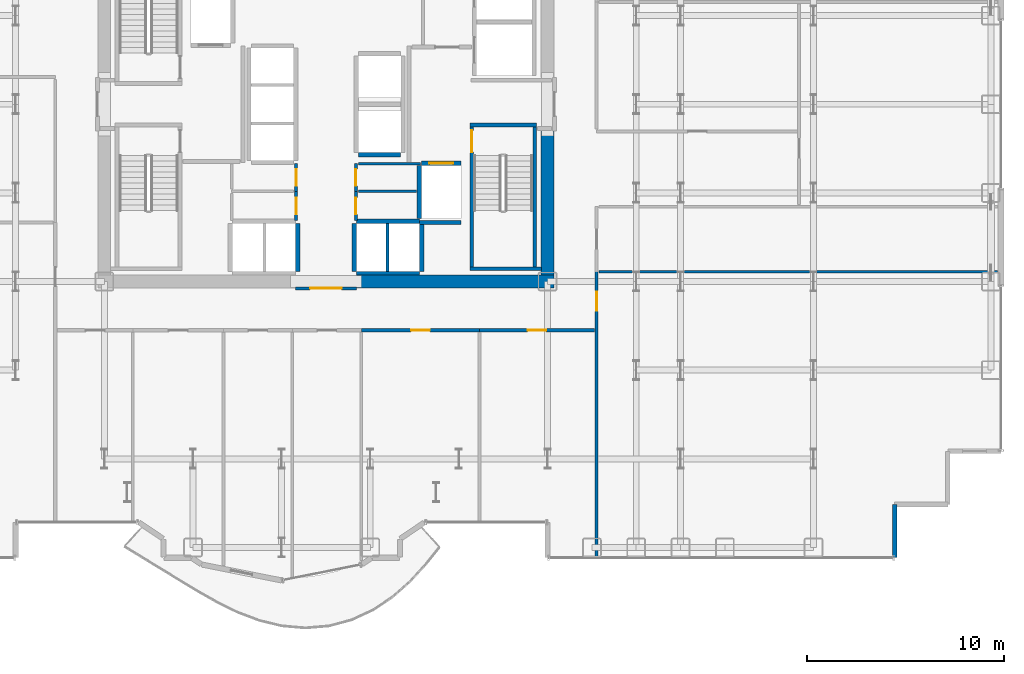
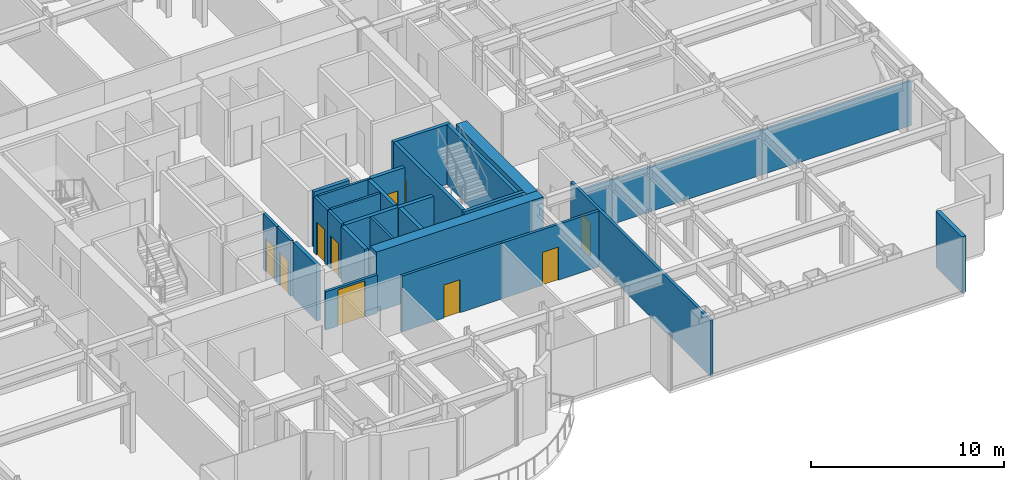
# One storey, part 24 of 29: 28 walls, 10 doors, 10 openings.
"""IFC4 building model written with IfcOpenShell, lengths in metres."""

from ifc_helpers import new_model, si_unit, direction, frame, frame_2d, origin, place, context, subcontext, project, spatial, rectangle, extrude, source, transform, mapped, material, layer, layer_set, type_object, element, fill, save


model = new_model("IFC4")

# Units and contexts
model_context = context("Model", 3, precision=1e-05, world=origin(), true_north=direction((0.0, 1.0)))
body_context = subcontext(model_context, "Body", "Model", "MODEL_VIEW")
ifc_project = project(units=[si_unit("LENGTHUNIT", "METRE"), si_unit("AREAUNIT", "SQUARE_METRE"), si_unit("VOLUMEUNIT", "CUBIC_METRE"), si_unit("PLANEANGLEUNIT", "RADIAN"), si_unit("MASSUNIT", "GRAM", prefix="KILO")], contexts=[model_context])

# Site, building, storey
site_placement = place(None, origin())
site = spatial("IfcSite", under=ifc_project, at=site_placement, CompositionType="ELEMENT")
building_placement = place(site_placement, origin())
building = spatial("IfcBuilding", under=site, at=building_placement, Name="Nefas-Gora Pilgrimage Tower", CompositionType="ELEMENT")
storey_placement = place(building_placement, frame((0.0, 0.0, 55.800048828125)))
storey = spatial("IfcBuildingStorey", under=building, at=storey_placement, Name="L12", CompositionType="ELEMENT", Elevation=55.800048828125)

# Walls
ifc_material_1 = material(Name="Concrete C60/75", Category="concrete")
ifc_layer_1 = layer(ifc_material_1, 0.64990234375)
ifc_layer_set_1 = layer_set([ifc_layer_1], Name="Concrete C60/75")
wall_type_1 = type_object("IfcWallType", Name="SW-CORE-650", PredefinedType="SHEAR", material=ifc_layer_set_1)
shared_shape_1 = source(origin(), body_context, "Body", "SweptSolid", [
    extrude(rectangle(XDim=10.02490234375, YDim=0.64990234375, at=frame_2d((5.012451171875, 0.0))), origin(), (0.0, 0.0, 1.0), 3.800048828125),
])
wall_1_placement = place(storey_placement, frame((1.550048828125, -9.0, 0.0), z_axis=(0.0, 0.0, 1.0), x_axis=(1.0, 0.0, 0.0)))
element("IfcWall", 1, at=wall_1_placement, inside=storey, type_object=wall_type_1, Name="L12 Core Shear Wall S-East", PredefinedType="SHEAR", context=body_context, shape_type="MappedRepresentation", body=[
    mapped(shared_shape_1, transform((0.0, 0.0, 0.0), x_axis=(1.0, 0.0, 0.0), y_axis=(0.0, 1.0, 0.0), z_axis=(0.0, 0.0, 1.0), scale=1.0)),
])
shared_shape_2 = source(origin(), body_context, "Body", "SweptSolid", [
    extrude(rectangle(XDim=7.324951171875, YDim=0.64990234375, at=frame_2d((3.66259765625, 0.0))), origin(), (0.0, 0.0, 1.0), 3.800048828125),
])
wall_2_placement = place(storey_placement, frame((11.25, -8.675048828125, 0.0), z_axis=(0.0, 0.0, 1.0), x_axis=(0.0, 1.0, 0.0)))
element("IfcWall", 2, at=wall_2_placement, inside=storey, type_object=wall_type_1, Name="L12 Core Shear Wall E-South", PredefinedType="SHEAR", context=body_context, shape_type="MappedRepresentation", body=[
    mapped(shared_shape_2, transform((0.0, 0.0, 0.0), x_axis=(1.0, 0.0, 0.0), y_axis=(0.0, 1.0, 0.0), z_axis=(0.0, 0.0, 1.0), scale=1.0)),
])
ifc_material_2 = material(Name="Precast concrete C45/55", Category="concrete")
ifc_layer_2 = layer(ifc_material_2, 0.239990234375)
ifc_layer_set_2 = layer_set([ifc_layer_2], Name="Precast concrete C45/55")
wall_type_2 = type_object("IfcWallType", Name="EW-SERR-240", PredefinedType="SHEAR", material=ifc_layer_set_2)
shared_shape_3 = source(origin(), body_context, "Body", "SweptSolid", [
    extrude(rectangle(XDim=2.699951171875, YDim=0.239990234375, at=frame_2d((1.35009765625, 0.0))), origin(), (0.0, 0.0, 1.0), 3.550048828125),
])
wall_3_placement = place(storey_placement, frame((28.8701171875, -23.02001953125, 0.0), z_axis=(0.0, 0.0, 1.0), x_axis=(0.0, 1.0, 0.0)))
element("IfcWall", 3, at=wall_3_placement, inside=storey, type_object=wall_type_2, Name="L12 Serrated Corner Shear Pier Wall 6", PredefinedType="SHEAR", context=body_context, shape_type="MappedRepresentation", body=[
    mapped(shared_shape_3, transform((0.0, 0.0, 0.0), x_axis=(1.0, 0.0, 0.0), y_axis=(0.0, 1.0, 0.0), z_axis=(0.0, 0.0, 1.0), scale=1.0)),
])
ifc_material_3 = material(Name="Concrete C45/55", Category="concrete")
ifc_layer_3 = layer(ifc_material_3, 0.199951171875)
ifc_layer_set_3 = layer_set([ifc_layer_3], Name="Concrete C45/55")
wall_type_3 = type_object("IfcWallType", Name="IW-STAIR-200", PredefinedType="SOLIDWALL", material=ifc_layer_set_3)
shared_shape_4 = source(origin(), body_context, "Body", "SweptSolid", [
    extrude(rectangle(XDim=3.39990234375, YDim=0.199951171875, at=frame_2d((1.699951171875, 0.0))), origin(), (0.0, 0.0, 1.0), 3.800048828125),
])
wall_4_placement = place(storey_placement, frame((7.300048828125, -1.050048828125, 0.0), z_axis=(0.0, 0.0, 1.0), x_axis=(1.0, 0.0, 0.0)))
element("IfcWall", 4, at=wall_4_placement, inside=storey, type_object=wall_type_3, Name="L12 Stairwell Shear Wall ST-02-near", PredefinedType="SOLIDWALL", context=body_context, shape_type="MappedRepresentation", body=[
    mapped(shared_shape_4, transform((0.0, 0.0, 0.0), x_axis=(1.0, 0.0, 0.0), y_axis=(0.0, 1.0, 0.0), z_axis=(0.0, 0.0, 1.0), scale=1.0)),
])
shared_shape_5 = source(origin(), body_context, "Body", "SweptSolid", [
    extrude(rectangle(XDim=3.6298828125, YDim=0.199951171875, at=frame_2d((1.81494140625, 0.0))), origin(), (0.0, 0.0, 1.0), 3.800048828125),
])
wall_5_placement = place(storey_placement, frame((7.300048828125, -8.35009765625, 0.0), z_axis=(0.0, 0.0, 1.0), x_axis=(1.0, 0.0, 0.0)))
element("IfcWall", 5, at=wall_5_placement, inside=storey, type_object=wall_type_3, Name="L12 Stairwell Shear Wall ST-02-far", PredefinedType="SOLIDWALL", context=body_context, shape_type="MappedRepresentation", body=[
    mapped(shared_shape_5, transform((0.0, 0.0, 0.0), x_axis=(1.0, 0.0, 0.0), y_axis=(0.0, 1.0, 0.0), z_axis=(0.0, 0.0, 1.0), scale=1.0)),
])

# Wall, opening, door
shared_shape_6 = source(origin(), body_context, "Body", "SweptSolid", [
    extrude(rectangle(XDim=7.10009765625, YDim=0.199951171875, at=frame_2d((3.550048828125, 0.0))), origin(), (0.0, 0.0, 1.0), 3.800048828125),
])
wall_6_placement = place(storey_placement, frame((7.39990234375, -1.14990234375, 0.0), z_axis=(0.0, 0.0, 1.0), x_axis=(0.0, -1.0, 0.0)))
wall_6 = element("IfcWall", 6, at=wall_6_placement, inside=storey, type_object=wall_type_3, Name="L12 Stairwell Shear Wall ST-02-left", PredefinedType="SOLIDWALL", context=body_context, shape_type="MappedRepresentation", body=[
    mapped(shared_shape_6, transform((0.0, 0.0, 0.0), x_axis=(1.0, 0.0, 0.0), y_axis=(0.0, 1.0, 0.0), z_axis=(0.0, 0.0, 1.0), scale=1.0)),
])
opening_1_placement = place(wall_6_placement, frame((0.179931640625, 0.0, 0.0)))
opening_1 = element("IfcOpeningElement", 7, at=opening_1_placement, cuts=wall_6, Name="Opening ID-ST1", PredefinedType="OPENING", context=body_context, shape_type="SweptSolid", body=[
    extrude(rectangle(XDim=1.10009765625, YDim=2.14990234375, at=frame_2d((0.550048828125, 1.074951171875))), frame((0.0, 0.10986328125, 0.0), z_axis=(0.0, -1.0, 0.0), x_axis=(1.0, 0.0, 0.0)), (0.0, 0.0, 1.0), 0.219970703125),
])
ifc_material_4 = material(Name="Painted galvanised steel fire stair door", Category="steel")
door_type_1 = type_object("IfcDoorType", Name="DR-INT-STAIR-1100", OperationType="NOTDEFINED", PredefinedType="DOOR", material=ifc_material_4)
shared_shape_7 = source(origin(), body_context, "Body", "SweptSolid", [
    extrude(rectangle(XDim=1.10009765625, YDim=2.14990234375, at=frame_2d((0.550048828125, 1.074951171875))), frame((0.0, 0.02490234375, 0.0), z_axis=(0.0, -1.0, 0.0), x_axis=(1.0, 0.0, 0.0)), (0.0, 0.0, 1.0), 0.050048828125),
])
door_1_placement = place(opening_1_placement, origin())
door_1 = element("IfcDoor", 8, at=door_1_placement, inside=storey, type_object=door_type_1, Name="L12 Protected Exit Stair Door ST-02", OperationType="SINGLE_SWING_LEFT", OverallHeight=2.14990234375, OverallWidth=1.10009765625, PredefinedType="DOOR", context=body_context, shape_type="MappedRepresentation", body=[
    mapped(shared_shape_7, transform((0.0, 0.0, 0.0), x_axis=(1.0, 0.0, 0.0), y_axis=(0.0, 1.0, 0.0), z_axis=(0.0, 0.0, 1.0), scale=1.0)),
])
fill(opening_1, door_1)

# Wall
wall_7_placement = place(storey_placement, frame((10.60009765625, -1.14990234375, 0.0), z_axis=(0.0, 0.0, 1.0), x_axis=(0.0, -1.0, 0.0)))
element("IfcWall", 9, at=wall_7_placement, inside=storey, type_object=wall_type_3, Name="L12 Stairwell Shear Wall ST-02-right", PredefinedType="SOLIDWALL", context=body_context, shape_type="MappedRepresentation", body=[
    mapped(shared_shape_6, transform((0.0, 0.0, 0.0), x_axis=(1.0, 0.0, 0.0), y_axis=(0.0, 1.0, 0.0), z_axis=(0.0, 0.0, 1.0), scale=1.0)),
])

# Wall, opening, door
ifc_material_5 = material(Name="Concrete C40/50", Category="concrete")
ifc_layer_4 = layer(ifc_material_5, 0.219970703125)
ifc_layer_set_4 = layer_set([ifc_layer_4], Name="Concrete C40/50")
wall_type_4 = type_object("IfcWallType", Name="IW-SHAFT-220", PredefinedType="SOLIDWALL", material=ifc_layer_set_4)
shared_shape_8 = source(origin(), body_context, "Body", "SweptSolid", [
    extrude(rectangle(XDim=2.0, YDim=0.219970703125, at=frame_2d((1.0, 0.0))), origin(), (0.0, 0.0, 1.0), 3.534912109375),
])
wall_8_placement = place(storey_placement, frame((6.85009765625, -2.989990234375, 0.0), z_axis=(0.0, 0.0, 1.0), x_axis=(-1.0, 0.0, 0.0)))
wall_8 = element("IfcWall", 10, at=wall_8_placement, inside=storey, type_object=wall_type_4, Name="L12 Hoistway Wall FFL-02-N", PredefinedType="SOLIDWALL", context=body_context, shape_type="MappedRepresentation", body=[
    mapped(shared_shape_8, transform((0.0, 0.0, 0.0), x_axis=(1.0, 0.0, 0.0), y_axis=(0.0, 1.0, 0.0), z_axis=(0.0, 0.0, 1.0), scale=1.0)),
])
opening_2_placement = place(wall_8_placement, frame((0.39990234375, 0.0, 0.0)))
opening_2 = element("IfcOpeningElement", 11, at=opening_2_placement, cuts=wall_8, Name="Opening LD-FF", PredefinedType="OPENING", context=body_context, shape_type="SweptSolid", body=[
    extrude(rectangle(XDim=1.199951171875, YDim=2.199951171875, at=frame_2d((0.60009765625, 1.10009765625))), frame((0.0, 0.119873046875, 0.0), z_axis=(0.0, -1.0, 0.0), x_axis=(1.0, 0.0, 0.0)), (0.0, 0.0, 1.0), 0.239990234375),
])
ifc_material_6 = material(Name="Fire-service sliding lift landing door")
door_type_2 = type_object("IfcDoorType", Name="DR-LIFT-FSAE-1200", OperationType="SLIDING_TO_LEFT", PredefinedType="DOOR", material=ifc_material_6)
shared_shape_9 = source(origin(), body_context, "Body", "SweptSolid", [
    extrude(rectangle(XDim=1.199951171875, YDim=2.199951171875, at=frame_2d((0.60009765625, 1.10009765625))), frame((0.0, 0.02490234375, 0.0), z_axis=(0.0, -1.0, 0.0), x_axis=(1.0, 0.0, 0.0)), (0.0, 0.0, 1.0), 0.050048828125),
])
door_2_placement = place(opening_2_placement, origin())
door_2 = element("IfcDoor", 12, at=door_2_placement, inside=storey, type_object=door_type_2, Name="L12 Sliding Lift Landing Door FFL-02", OperationType="SLIDING_TO_LEFT", OverallHeight=2.199951171875, OverallWidth=1.199951171875, PredefinedType="DOOR", context=body_context, shape_type="MappedRepresentation", body=[
    mapped(shared_shape_9, transform((0.0, 0.0, 0.0), x_axis=(1.0, 0.0, 0.0), y_axis=(0.0, 1.0, 0.0), z_axis=(0.0, 0.0, 1.0), scale=1.0)),
])
fill(opening_2, door_2)

# Walls
shared_shape_10 = source(origin(), body_context, "Body", "SweptSolid", [
    extrude(rectangle(XDim=2.679931640625, YDim=0.219970703125, at=frame_2d((1.33984375, 0.0))), origin(), (0.0, 0.0, 1.0), 3.534912109375),
])
wall_9_placement = place(storey_placement, frame((4.739990234375, -3.110107421875, 0.0), z_axis=(0.0, 0.0, 1.0), x_axis=(0.0, -1.0, 0.0)))
element("IfcWall", 13, at=wall_9_placement, inside=storey, type_object=wall_type_4, Name="L12 Hoistway Wall FFL-02-W", PredefinedType="SOLIDWALL", context=body_context, shape_type="MappedRepresentation", body=[
    mapped(shared_shape_10, transform((0.0, 0.0, 0.0), x_axis=(1.0, 0.0, 0.0), y_axis=(0.0, 1.0, 0.0), z_axis=(0.0, 0.0, 1.0), scale=1.0)),
])
shared_shape_11 = source(origin(), body_context, "Body", "SweptSolid", [
    extrude(rectangle(XDim=3.199951171875, YDim=0.219970703125, at=frame_2d((1.60009765625, 0.0))), origin(), (0.0, 0.0, 1.0), 3.534912109375),
])
wall_10_placement = place(storey_placement, frame((4.75, -5.93994140625, 0.0), z_axis=(0.0, 0.0, 1.0), x_axis=(-1.0, 0.0, 0.0)))
element("IfcWall", 14, at=wall_10_placement, inside=storey, type_object=wall_type_4, Name="L12 Hoistway Wall PL2-E-N", PredefinedType="SOLIDWALL", context=body_context, shape_type="MappedRepresentation", body=[
    mapped(shared_shape_11, transform((0.0, 0.0, 0.0), x_axis=(1.0, 0.0, 0.0), y_axis=(0.0, 1.0, 0.0), z_axis=(0.0, 0.0, 1.0), scale=1.0)),
])
ifc_material_7 = material(Name="Gypsum acoustic stud partition")
ifc_layer_5 = layer(ifc_material_7, 0.159912109375)
ifc_layer_set_5 = layer_set([ifc_layer_5], Name="Gypsum acoustic stud partition")
wall_type_5 = type_object("IfcWallType", Name="IW-CORR-160", PredefinedType="PARTITIONING", material=ifc_layer_set_5)
shared_shape_12 = source(origin(), body_context, "Body", "SweptSolid", [
    extrude(rectangle(XDim=3.199951171875, YDim=0.159912109375, at=frame_2d((1.60009765625, 0.0))), origin(), (0.0, 0.0, 1.0), 2.425048828125),
])
wall_11_placement = place(storey_placement, frame((1.550048828125, -8.580078125, 0.0), z_axis=(0.0, 0.0, 1.0), x_axis=(1.0, 0.0, 0.0)))
element("IfcWall", 15, at=wall_11_placement, inside=storey, type_object=wall_type_5, Name="L12 Hoistway Wall PL2-E-S", PredefinedType="PARTITIONING", context=body_context, shape_type="MappedRepresentation", body=[
    mapped(shared_shape_12, transform((0.0, 0.0, 0.0), x_axis=(1.0, 0.0, 0.0), y_axis=(0.0, 1.0, 0.0), z_axis=(0.0, 0.0, 1.0), scale=1.0)),
])
shared_shape_13 = source(origin(), body_context, "Body", "SweptSolid", [
    extrude(rectangle(XDim=2.429931640625, YDim=0.219970703125, at=frame_2d((1.21484375, 0.0))), origin(), (0.0, 0.0, 1.0), 3.534912109375),
])
for number, where, z_axis, x_axis, name in (
    (16, (-1.43994140625, -8.489990234375, 0.0), (0.0, 0.0, 1.0), (0.0, 1.0, 0.0), "L12 Hoistway Wall PL2-W-E"),
    (17, (1.43994140625, -6.06005859375, 0.0), (0.0, 0.0, 1.0), (0.0, -1.0, 0.0), "L12 Hoistway Wall PL2-E-W"),
    (18, (4.860107421875, -8.489990234375, 0.0), (0.0, 0.0, 1.0), (0.0, 1.0, 0.0), "L12 Hoistway Wall PL2-E-E"),
):
    element("IfcWall", number, at=place(storey_placement, frame(where, z_axis=z_axis, x_axis=x_axis)), inside=storey, type_object=wall_type_4, Name=name, PredefinedType="SOLIDWALL", context=body_context, shape_type="MappedRepresentation", body=[
        mapped(shared_shape_13, transform((0.0, 0.0, 0.0), x_axis=(1.0, 0.0, 0.0), y_axis=(0.0, 1.0, 0.0), z_axis=(0.0, 0.0, 1.0), scale=1.0)),
    ])
ifc_material_8 = material(Name="Gypsum twin-stud partition")
ifc_layer_6 = layer(ifc_material_8, 0.139892578125)
ifc_layer_set_6 = layer_set([ifc_layer_6], Name="Gypsum twin-stud partition")
wall_type_6 = type_object("IfcWallType", Name="IW-UNIT-140", PredefinedType="PARTITIONING", material=ifc_layer_set_6)
shared_shape_14 = source(origin(), body_context, "Body", "SweptSolid", [
    extrude(rectangle(XDim=2.429931640625, YDim=0.139892578125, at=frame_2d((1.21484375, 0.0))), origin(), (0.0, 0.0, 1.0), 3.534912109375),
])
wall_12_placement = place(storey_placement, frame((3.125, -8.489990234375, 0.0), z_axis=(0.0, 0.0, 1.0), x_axis=(0.0, 1.0, 0.0)))
element("IfcWall", 19, at=wall_12_placement, inside=storey, type_object=wall_type_6, Name="L12 Hoistway Wall PL2-E-DIV", PredefinedType="PARTITIONING", context=body_context, shape_type="MappedRepresentation", body=[
    mapped(shared_shape_14, transform((0.0, 0.0, 0.0), x_axis=(1.0, 0.0, 0.0), y_axis=(0.0, 1.0, 0.0), z_axis=(0.0, 0.0, 1.0), scale=1.0)),
])
shared_shape_15 = source(origin(), body_context, "Body", "SweptSolid", [
    extrude(rectangle(XDim=2.130126953125, YDim=0.219970703125, at=frame_2d((1.06494140625, 0.0))), origin(), (0.0, 0.0, 1.0), 3.534912109375),
])
wall_13_placement = place(storey_placement, frame((1.659912109375, -2.56005859375, 0.0), z_axis=(0.0, 0.0, 1.0), x_axis=(1.0, 0.0, 0.0)))
element("IfcWall", 20, at=wall_13_placement, inside=storey, type_object=wall_type_4, Name="L12 Hoistway Wall OBS-01-S", PredefinedType="SOLIDWALL", context=body_context, shape_type="MappedRepresentation", body=[
    mapped(shared_shape_15, transform((0.0, 0.0, 0.0), x_axis=(1.0, 0.0, 0.0), y_axis=(0.0, 1.0, 0.0), z_axis=(0.0, 0.0, 1.0), scale=1.0)),
])
shared_shape_16 = source(origin(), body_context, "Body", "SweptSolid", [
    extrude(rectangle(XDim=2.09521484375, YDim=0.219970703125, at=frame_2d((1.047607421875, 0.0))), origin(), (0.0, 0.0, 1.0), 3.534912109375),
])
wall_14_placement = place(storey_placement, frame((4.7548828125, -6.0, 0.0), z_axis=(0.0, 0.0, 1.0), x_axis=(1.0, 0.0, 0.0)))
element("IfcWall", 21, at=wall_14_placement, inside=storey, type_object=wall_type_4, Name="L12 Riser Shaft Wall 2", PredefinedType="SOLIDWALL", context=body_context, shape_type="MappedRepresentation", body=[
    mapped(shared_shape_16, transform((0.0, 0.0, 0.0), x_axis=(1.0, 0.0, 0.0), y_axis=(0.0, 1.0, 0.0), z_axis=(0.0, 0.0, 1.0), scale=1.0)),
])

# Wall, opening, door
shared_shape_17 = source(origin(), body_context, "Body", "SweptSolid", [
    extrude(rectangle(XDim=3.08984375, YDim=0.159912109375, at=frame_2d((1.544921875, 0.0))), origin(), (0.0, 0.0, 1.0), 2.425048828125),
])
wall_15_placement = place(storey_placement, frame((-1.544921875, -9.35009765625, 0.0), z_axis=(0.0, 0.0, 1.0), x_axis=(1.0, 0.0, 0.0)))
wall_15 = element("IfcWall", 22, at=wall_15_placement, inside=storey, type_object=wall_type_5, Name="L12 Central Lift Lobby South Portal Wall 14", PredefinedType="PARTITIONING", context=body_context, shape_type="MappedRepresentation", body=[
    mapped(shared_shape_17, transform((0.0, 0.0, 0.0), x_axis=(1.0, 0.0, 0.0), y_axis=(0.0, 1.0, 0.0), z_axis=(0.0, 0.0, 1.0), scale=1.0)),
])
opening_3_placement = place(wall_15_placement, frame((0.7451171875, 0.0, 0.0)))
opening_3 = element("IfcOpeningElement", 23, at=opening_3_placement, cuts=wall_15, Name="Opening ID-HL1", PredefinedType="OPENING", context=body_context, shape_type="SweptSolid", body=[
    extrude(rectangle(XDim=1.60009765625, YDim=2.300048828125, at=frame_2d((0.800048828125, 1.14990234375))), frame((0.0, 0.08984375, 0.0), z_axis=(0.0, -1.0, 0.0), x_axis=(1.0, 0.0, 0.0)), (0.0, 0.0, 1.0), 0.179931640625),
])
ifc_material_9 = material(Name="Double acoustic timber assembly hall door", Category="wood")
door_type_3 = type_object("IfcDoorType", Name="DR-INT-HALL-1600", OperationType="DOUBLE_DOOR_SINGLE_SWING", PredefinedType="DOOR", material=ifc_material_9)
shared_shape_18 = source(origin(), body_context, "Body", "SweptSolid", [
    extrude(rectangle(XDim=1.60009765625, YDim=2.300048828125, at=frame_2d((0.800048828125, 1.14990234375))), frame((0.0, 0.02490234375, 0.0), z_axis=(0.0, -1.0, 0.0), x_axis=(1.0, 0.0, 0.0)), (0.0, 0.0, 1.0), 0.050048828125),
])
door_3_placement = place(opening_3_placement, origin())
door_3 = element("IfcDoor", 24, at=door_3_placement, inside=storey, type_object=door_type_3, Name="L12 Central Lift Lobby South Portal Door 5", OperationType="DOUBLE_DOOR_SINGLE_SWING", OverallHeight=2.300048828125, OverallWidth=1.60009765625, PredefinedType="DOOR", context=body_context, shape_type="MappedRepresentation", body=[
    mapped(shared_shape_18, transform((0.0, 0.0, 0.0), x_axis=(1.0, 0.0, 0.0), y_axis=(0.0, 1.0, 0.0), z_axis=(0.0, 0.0, 1.0), scale=1.0)),
])
fill(opening_3, door_3)

# Walls
shared_shape_19 = source(origin(), body_context, "Body", "SweptSolid", [
    extrude(rectangle(XDim=2.9501953125, YDim=0.139892578125, at=frame_2d((1.47509765625, 0.0))), origin(), (0.0, 0.0, 1.0), 3.534912109375),
])
wall_16_placement = place(storey_placement, frame((1.639892578125, -4.409912109375, 0.0), z_axis=(0.0, 0.0, 1.0), x_axis=(1.0, 0.0, 0.0)))
element("IfcWall", 25, at=wall_16_placement, inside=storey, type_object=wall_type_6, Name="L12 Clean Blanket and Robe Store Partition Wall 23", PredefinedType="PARTITIONING", context=body_context, shape_type="MappedRepresentation", body=[
    mapped(shared_shape_19, transform((0.0, 0.0, 0.0), x_axis=(1.0, 0.0, 0.0), y_axis=(0.0, 1.0, 0.0), z_axis=(0.0, 0.0, 1.0), scale=1.0)),
])
shared_shape_20 = source(origin(), body_context, "Body", "SweptSolid", [
    extrude(rectangle(XDim=20.219970703125, YDim=0.139892578125, at=frame_2d((10.10986328125, 0.0))), origin(), (0.0, 0.0, 1.0), 2.824951171875),
])
wall_17_placement = place(storey_placement, frame((13.860107421875, -8.5048828125, 0.0), z_axis=(0.0, 0.0, 1.0), x_axis=(1.0, 0.0, 0.0)))
element("IfcWall", 26, at=wall_17_placement, inside=storey, type_object=wall_type_6, Name="L12 Pilgrim Fellowship Seminar Room Partition Wall 36", PredefinedType="PARTITIONING", context=body_context, shape_type="MappedRepresentation", body=[
    mapped(shared_shape_20, transform((0.0, 0.0, 0.0), x_axis=(1.0, 0.0, 0.0), y_axis=(0.0, 1.0, 0.0), z_axis=(0.0, 0.0, 1.0), scale=1.0)),
])

# Wall, opening, door
shared_shape_21 = source(origin(), body_context, "Body", "SweptSolid", [
    extrude(rectangle(XDim=14.544921875, YDim=0.159912109375, at=frame_2d((7.2724609375, 0.0))), origin(), (0.0, 0.0, 1.0), 3.534912109375),
])
wall_18_placement = place(storey_placement, frame((13.739990234375, -23.0400390625, 0.0), z_axis=(0.0, 0.0, 1.0), x_axis=(0.0, 1.0, 0.0)))
wall_18 = element("IfcWall", 27, at=wall_18_placement, inside=storey, type_object=wall_type_5, Name="L12 Pilgrim Fellowship Seminar Room Partition Wall 35", PredefinedType="PARTITIONING", context=body_context, shape_type="MappedRepresentation", body=[
    mapped(shared_shape_21, transform((0.0, 0.0, 0.0), x_axis=(1.0, 0.0, 0.0), y_axis=(0.0, 1.0, 0.0), z_axis=(0.0, 0.0, 1.0), scale=1.0)),
])
opening_4_placement = place(wall_18_placement, frame((12.5625, 0.0, 0.0)))
opening_4 = element("IfcOpeningElement", 28, at=opening_4_placement, cuts=wall_18, Name="Opening ID-GR1", PredefinedType="OPENING", context=body_context, shape_type="SweptSolid", body=[
    extrude(rectangle(XDim=0.949951171875, YDim=2.10009765625, at=frame_2d((0.47509765625, 1.050048828125))), frame((0.0, 0.08984375, 0.0), z_axis=(0.0, -1.0, 0.0), x_axis=(1.0, 0.0, 0.0)), (0.0, 0.0, 1.0), 0.179931640625),
])
ifc_material_10 = material(Name="Solid core oak fire-rated guest entrance door")
door_type_4 = type_object("IfcDoorType", Name="DR-INT-GUEST-950", OperationType="NOTDEFINED", PredefinedType="DOOR", material=ifc_material_10)
shared_shape_22 = source(origin(), body_context, "Body", "SweptSolid", [
    extrude(rectangle(XDim=0.949951171875, YDim=2.10009765625, at=frame_2d((0.47509765625, 1.050048828125))), frame((0.0, 0.02490234375, 0.0), z_axis=(0.0, -1.0, 0.0), x_axis=(1.0, 0.0, 0.0)), (0.0, 0.0, 1.0), 0.050048828125),
])
door_4_placement = place(opening_4_placement, origin())
door_4 = element("IfcDoor", 29, at=door_4_placement, inside=storey, type_object=door_type_4, Name="L12 Pilgrim Fellowship Seminar Room Door 15", OperationType="SINGLE_SWING_RIGHT", OverallHeight=2.10009765625, OverallWidth=0.949951171875, PredefinedType="DOOR", context=body_context, shape_type="MappedRepresentation", body=[
    mapped(shared_shape_22, transform((0.0, 0.0, 0.0), x_axis=(1.0, 0.0, 0.0), y_axis=(0.0, 1.0, 0.0), z_axis=(0.0, 0.0, 1.0), scale=1.0)),
])
fill(opening_4, door_4)

shared_shape_23 = source(origin(), body_context, "Body", "SweptSolid", [
    extrude(rectangle(XDim=1.409912109375, YDim=0.159912109375, at=frame_2d((0.705078125, 0.0))), origin(), (0.0, 0.0, 1.0), 3.534912109375),
])
wall_19_placement = place(storey_placement, frame((-1.52001953125, -4.419921875, 0.0), z_axis=(0.0, 0.0, 1.0), x_axis=(0.0, 1.0, 0.0)))
wall_19 = element("IfcWall", 30, at=wall_19_placement, inside=storey, type_object=wall_type_5, Name="L12 Housekeeping and Linen Store Wall 16", PredefinedType="PARTITIONING", context=body_context, shape_type="MappedRepresentation", body=[
    mapped(shared_shape_23, transform((0.0, 0.0, 0.0), x_axis=(1.0, 0.0, 0.0), y_axis=(0.0, 1.0, 0.0), z_axis=(0.0, 0.0, 1.0), scale=1.0)),
])
opening_5_placement = place(wall_19_placement, frame((0.280029296875, 0.0, 0.0)))
opening_5 = element("IfcOpeningElement", 31, at=opening_5_placement, cuts=wall_19, Name="Opening ID-BT1", PredefinedType="OPENING", context=body_context, shape_type="SweptSolid", body=[
    extrude(rectangle(XDim=0.85009765625, YDim=2.10009765625, at=frame_2d((0.425048828125, 1.050048828125))), frame((0.0, 0.08984375, 0.0), z_axis=(0.0, -1.0, 0.0), x_axis=(1.0, 0.0, 0.0)), (0.0, 0.0, 1.0), 0.179931640625),
])
ifc_material_11 = material(Name="Moisture-resistant fire-rated timber door", Category="wood")
door_type_5 = type_object("IfcDoorType", Name="DR-INT-BATH-850", OperationType="NOTDEFINED", PredefinedType="DOOR", material=ifc_material_11)
shared_shape_24 = source(origin(), body_context, "Body", "SweptSolid", [
    extrude(rectangle(XDim=0.85009765625, YDim=2.10009765625, at=frame_2d((0.425048828125, 1.050048828125))), frame((0.0, 0.02490234375, 0.0), z_axis=(0.0, -1.0, 0.0), x_axis=(1.0, 0.0, 0.0)), (0.0, 0.0, 1.0), 0.050048828125),
])
door_5_placement = place(opening_5_placement, origin())
door_5 = element("IfcDoor", 32, at=door_5_placement, inside=storey, type_object=door_type_5, Name="L12 Housekeeping and Linen Store Door 6", OperationType="SINGLE_SWING_LEFT", OverallHeight=2.10009765625, OverallWidth=0.85009765625, PredefinedType="DOOR", context=body_context, shape_type="MappedRepresentation", body=[
    mapped(shared_shape_24, transform((0.0, 0.0, 0.0), x_axis=(1.0, 0.0, 0.0), y_axis=(0.0, 1.0, 0.0), z_axis=(0.0, 0.0, 1.0), scale=1.0)),
])
fill(opening_5, door_5)

wall_20_placement = place(storey_placement, frame((1.52001953125, -4.419921875, 0.0), z_axis=(0.0, 0.0, 1.0), x_axis=(0.0, 1.0, 0.0)))
wall_20 = element("IfcWall", 33, at=wall_20_placement, inside=storey, type_object=wall_type_5, Name="L12 Clean Blanket and Robe Store Wall 21", PredefinedType="PARTITIONING", context=body_context, shape_type="MappedRepresentation", body=[
    mapped(shared_shape_23, transform((0.0, 0.0, 0.0), x_axis=(1.0, 0.0, 0.0), y_axis=(0.0, 1.0, 0.0), z_axis=(0.0, 0.0, 1.0), scale=1.0)),
])
opening_6_placement = place(wall_20_placement, frame((0.280029296875, 0.0, 0.0)))
opening_6 = element("IfcOpeningElement", 34, at=opening_6_placement, cuts=wall_20, Name="Opening ID-BT1", PredefinedType="OPENING", context=body_context, shape_type="SweptSolid", body=[
    extrude(rectangle(XDim=0.85009765625, YDim=2.10009765625, at=frame_2d((0.425048828125, 1.050048828125))), frame((0.0, 0.08984375, 0.0), z_axis=(0.0, -1.0, 0.0), x_axis=(1.0, 0.0, 0.0)), (0.0, 0.0, 1.0), 0.179931640625),
])
door_6_placement = place(opening_6_placement, origin())
door_6 = element("IfcDoor", 35, at=door_6_placement, inside=storey, type_object=door_type_5, Name="L12 Clean Blanket and Robe Store Door 8", OperationType="SINGLE_SWING_LEFT", OverallHeight=2.10009765625, OverallWidth=0.85009765625, PredefinedType="DOOR", context=body_context, shape_type="MappedRepresentation", body=[
    mapped(shared_shape_24, transform((0.0, 0.0, 0.0), x_axis=(1.0, 0.0, 0.0), y_axis=(0.0, 1.0, 0.0), z_axis=(0.0, 0.0, 1.0), scale=1.0)),
])
fill(opening_6, door_6)

# Wall
shared_shape_25 = source(origin(), body_context, "Body", "SweptSolid", [
    extrude(rectangle(XDim=3.150146484375, YDim=0.139892578125, at=frame_2d((1.5751953125, 0.0))), origin(), (0.0, 0.0, 1.0), 3.534912109375),
])
wall_21_placement = place(storey_placement, frame((1.639892578125, -3.02001953125, 0.0), z_axis=(0.0, 0.0, 1.0), x_axis=(1.0, 0.0, 0.0)))
element("IfcWall", 36, at=wall_21_placement, inside=storey, type_object=wall_type_6, Name="L12 Clean Blanket and Robe Store Partition Wall 22", PredefinedType="PARTITIONING", context=body_context, shape_type="MappedRepresentation", body=[
    mapped(shared_shape_25, transform((0.0, 0.0, 0.0), x_axis=(1.0, 0.0, 0.0), y_axis=(0.0, 1.0, 0.0), z_axis=(0.0, 0.0, 1.0), scale=1.0)),
])

# Wall, opening, door
shared_shape_26 = source(origin(), body_context, "Body", "SweptSolid", [
    extrude(rectangle(XDim=1.449951171875, YDim=0.159912109375, at=frame_2d((0.72509765625, 0.0))), origin(), (0.0, 0.0, 1.0), 3.534912109375),
])
wall_22_placement = place(storey_placement, frame((-1.52001953125, -5.889892578125, 0.0), z_axis=(0.0, 0.0, 1.0), x_axis=(0.0, 1.0, 0.0)))
wall_22 = element("IfcWall", 37, at=wall_22_placement, inside=storey, type_object=wall_type_5, Name="L12 Guest Self-Service Laundry Room Wall 19", PredefinedType="PARTITIONING", context=body_context, shape_type="MappedRepresentation", body=[
    mapped(shared_shape_26, transform((0.0, 0.0, 0.0), x_axis=(1.0, 0.0, 0.0), y_axis=(0.0, 1.0, 0.0), z_axis=(0.0, 0.0, 1.0), scale=1.0)),
])
opening_7_placement = place(wall_22_placement, frame((0.300048828125, 0.0, 0.0)))
opening_7 = element("IfcOpeningElement", 38, at=opening_7_placement, cuts=wall_22, Name="Opening ID-BT1", PredefinedType="OPENING", context=body_context, shape_type="SweptSolid", body=[
    extrude(rectangle(XDim=0.85009765625, YDim=2.10009765625, at=frame_2d((0.425048828125, 1.050048828125))), frame((0.0, 0.08984375, 0.0), z_axis=(0.0, -1.0, 0.0), x_axis=(1.0, 0.0, 0.0)), (0.0, 0.0, 1.0), 0.179931640625),
])
door_7_placement = place(opening_7_placement, origin())
door_7 = element("IfcDoor", 39, at=door_7_placement, inside=storey, type_object=door_type_5, Name="L12 Guest Self-Service Laundry Room Door 7", OperationType="SINGLE_SWING_RIGHT", OverallHeight=2.10009765625, OverallWidth=0.85009765625, PredefinedType="DOOR", context=body_context, shape_type="MappedRepresentation", body=[
    mapped(shared_shape_24, transform((0.0, 0.0, 0.0), x_axis=(1.0, 0.0, 0.0), y_axis=(0.0, 1.0, 0.0), z_axis=(0.0, 0.0, 1.0), scale=1.0)),
])
fill(opening_7, door_7)

wall_23_placement = place(storey_placement, frame((1.52001953125, -5.889892578125, 0.0), z_axis=(0.0, 0.0, 1.0), x_axis=(0.0, 1.0, 0.0)))
wall_23 = element("IfcWall", 40, at=wall_23_placement, inside=storey, type_object=wall_type_5, Name="L12 Core Amenity Supply Store Wall 24", PredefinedType="PARTITIONING", context=body_context, shape_type="MappedRepresentation", body=[
    mapped(shared_shape_26, transform((0.0, 0.0, 0.0), x_axis=(1.0, 0.0, 0.0), y_axis=(0.0, 1.0, 0.0), z_axis=(0.0, 0.0, 1.0), scale=1.0)),
])
opening_8_placement = place(wall_23_placement, frame((0.300048828125, 0.0, 0.0)))
opening_8 = element("IfcOpeningElement", 41, at=opening_8_placement, cuts=wall_23, Name="Opening ID-BT1", PredefinedType="OPENING", context=body_context, shape_type="SweptSolid", body=[
    extrude(rectangle(XDim=0.85009765625, YDim=2.10009765625, at=frame_2d((0.425048828125, 1.050048828125))), frame((0.0, 0.08984375, 0.0), z_axis=(0.0, -1.0, 0.0), x_axis=(1.0, 0.0, 0.0)), (0.0, 0.0, 1.0), 0.179931640625),
])
door_8_placement = place(opening_8_placement, origin())
door_8 = element("IfcDoor", 42, at=door_8_placement, inside=storey, type_object=door_type_5, Name="L12 Core Amenity Supply Store Door 9", OperationType="SINGLE_SWING_RIGHT", OverallHeight=2.10009765625, OverallWidth=0.85009765625, PredefinedType="DOOR", context=body_context, shape_type="MappedRepresentation", body=[
    mapped(shared_shape_24, transform((0.0, 0.0, 0.0), x_axis=(1.0, 0.0, 0.0), y_axis=(0.0, 1.0, 0.0), z_axis=(0.0, 0.0, 1.0), scale=1.0)),
])
fill(opening_8, door_8)

shared_shape_27 = source(origin(), body_context, "Body", "SweptSolid", [
    extrude(rectangle(XDim=6.010009765625, YDim=0.159912109375, at=frame_2d((3.0048828125, 0.0))), origin(), (0.0, 0.0, 1.0), 3.534912109375),
])
wall_24_placement = place(storey_placement, frame((1.794921875, -11.469970703125, 0.0), z_axis=(0.0, 0.0, 1.0), x_axis=(1.0, 0.0, 0.0)))
wall_24 = element("IfcWall", 43, at=wall_24_placement, inside=storey, type_object=wall_type_5, Name="L12 Pilgrim Contemplative Lounge Partition Wall 62", PredefinedType="PARTITIONING", context=body_context, shape_type="MappedRepresentation", body=[
    mapped(shared_shape_27, transform((0.0, 0.0, 0.0), x_axis=(1.0, 0.0, 0.0), y_axis=(0.0, 1.0, 0.0), z_axis=(0.0, 0.0, 1.0), scale=1.0)),
])
opening_9_placement = place(wall_24_placement, frame((2.530029296875, 0.0, 0.0)))
opening_9 = element("IfcOpeningElement", 44, at=opening_9_placement, cuts=wall_24, Name="Opening ID-GR1", PredefinedType="OPENING", context=body_context, shape_type="SweptSolid", body=[
    extrude(rectangle(XDim=0.949951171875, YDim=2.10009765625, at=frame_2d((0.47509765625, 1.050048828125))), frame((0.0, 0.08984375, 0.0), z_axis=(0.0, -1.0, 0.0), x_axis=(1.0, 0.0, 0.0)), (0.0, 0.0, 1.0), 0.179931640625),
])
door_9_placement = place(opening_9_placement, origin())
door_9 = element("IfcDoor", 45, at=door_9_placement, inside=storey, type_object=door_type_4, Name="L12 Pilgrim Contemplative Lounge Door 30", OperationType="SINGLE_SWING_LEFT", OverallHeight=2.10009765625, OverallWidth=0.949951171875, PredefinedType="DOOR", context=body_context, shape_type="MappedRepresentation", body=[
    mapped(shared_shape_22, transform((0.0, 0.0, 0.0), x_axis=(1.0, 0.0, 0.0), y_axis=(0.0, 1.0, 0.0), z_axis=(0.0, 0.0, 1.0), scale=1.0)),
])
fill(opening_9, door_9)

shared_shape_28 = source(origin(), body_context, "Body", "SweptSolid", [
    extrude(rectangle(XDim=5.8251953125, YDim=0.159912109375, at=frame_2d((2.91259765625, 0.0))), origin(), (0.0, 0.0, 1.0), 3.534912109375),
])
wall_25_placement = place(storey_placement, frame((7.794921875, -11.469970703125, 0.0), z_axis=(0.0, 0.0, 1.0), x_axis=(1.0, 0.0, 0.0)))
wall_25 = element("IfcWall", 46, at=wall_25_placement, inside=storey, type_object=wall_type_5, Name="L12 Pilgrim Contemplative Lounge Partition Wall 64", PredefinedType="PARTITIONING", context=body_context, shape_type="MappedRepresentation", body=[
    mapped(shared_shape_28, transform((0.0, 0.0, 0.0), x_axis=(1.0, 0.0, 0.0), y_axis=(0.0, 1.0, 0.0), z_axis=(0.0, 0.0, 1.0), scale=1.0)),
])
opening_10_placement = place(wall_25_placement, frame((2.4375, 0.0, 0.0)))
opening_10 = element("IfcOpeningElement", 47, at=opening_10_placement, cuts=wall_25, Name="Opening ID-GR1", PredefinedType="OPENING", context=body_context, shape_type="SweptSolid", body=[
    extrude(rectangle(XDim=0.949951171875, YDim=2.10009765625, at=frame_2d((0.47509765625, 1.050048828125))), frame((0.0, 0.08984375, 0.0), z_axis=(0.0, -1.0, 0.0), x_axis=(1.0, 0.0, 0.0)), (0.0, 0.0, 1.0), 0.179931640625),
])
door_10_placement = place(opening_10_placement, origin())
door_10 = element("IfcDoor", 48, at=door_10_placement, inside=storey, type_object=door_type_4, Name="L12 Pilgrim Contemplative Lounge Door 31", OperationType="SINGLE_SWING_RIGHT", OverallHeight=2.10009765625, OverallWidth=0.949951171875, PredefinedType="DOOR", context=body_context, shape_type="MappedRepresentation", body=[
    mapped(shared_shape_22, transform((0.0, 0.0, 0.0), x_axis=(1.0, 0.0, 0.0), y_axis=(0.0, 1.0, 0.0), z_axis=(0.0, 0.0, 1.0), scale=1.0)),
])
fill(opening_10, door_10)

save(model, "model.ifc")
